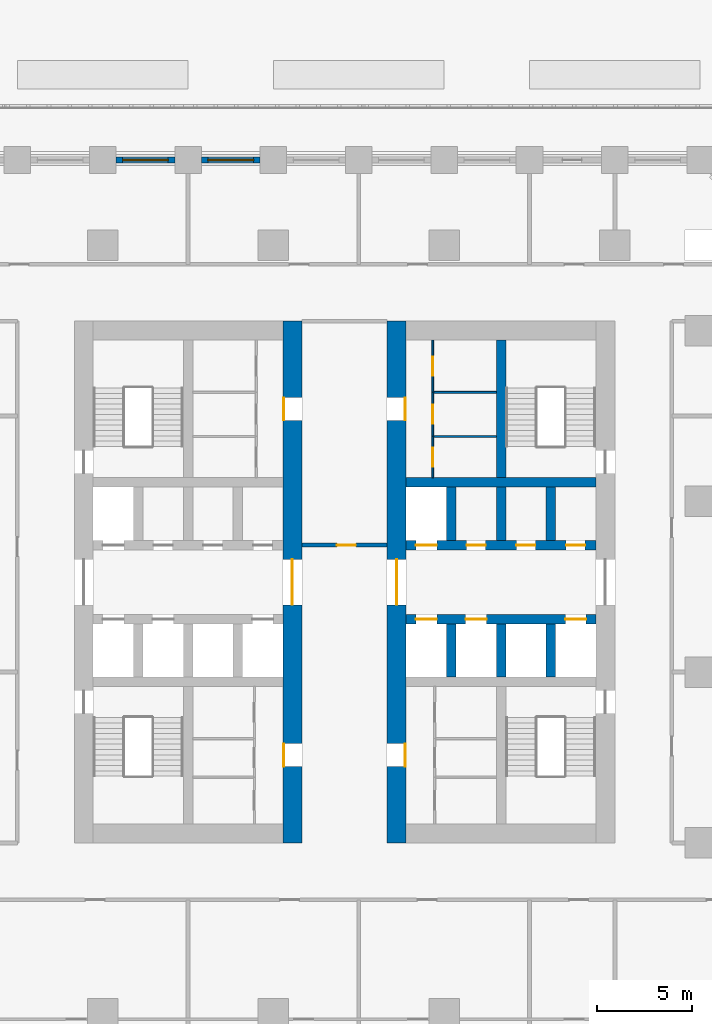
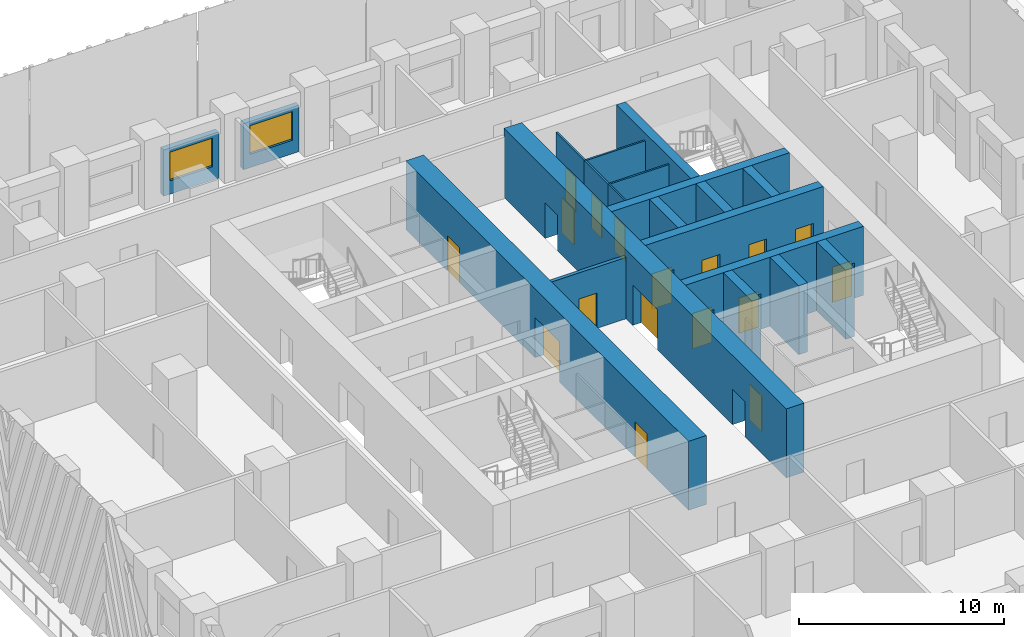
# One storey, part 21 of 36: 20 walls, 17 doors, 2 windows, 19 openings.
"""IFC4 building model written with IfcOpenShell, lengths in metres."""

from ifc_helpers import new_model, si_unit, direction, frame, frame_2d, origin, place, context, subcontext, project, spatial, rectangle, extrude, material, layer, layer_set, type_object, element, fill, save


model = new_model("IFC4")

# Units and contexts
model_context = context("Model", 3, precision=1e-05, world=origin(), true_north=direction((0.0, 1.0)))
body_context = subcontext(model_context, "Body", "Model", "MODEL_VIEW")
ifc_project = project(units=[si_unit("LENGTHUNIT", "METRE"), si_unit("AREAUNIT", "SQUARE_METRE"), si_unit("VOLUMEUNIT", "CUBIC_METRE"), si_unit("PLANEANGLEUNIT", "RADIAN"), si_unit("MASSUNIT", "GRAM", prefix="KILO")], contexts=[model_context])

# Site, building, storey
site_placement = place(None, origin())
site = spatial("IfcSite", under=ifc_project, at=site_placement, CompositionType="ELEMENT")
building_placement = place(site_placement, origin())
building = spatial("IfcBuilding", under=site, at=building_placement, Name="Corbel Stack Research Tower", CompositionType="ELEMENT")
storey_placement = place(building_placement, frame((0.0, 0.0, 7.199951171875)))
storey = spatial("IfcBuildingStorey", under=building, at=storey_placement, Name="L01", CompositionType="ELEMENT", Elevation=7.199951171875)

# Wall, openings, doors
ifc_material_1 = material(Name="Concrete C70/85", Category="concrete")
ifc_layer_1 = layer(ifc_material_1, 1.0)
ifc_layer_set_1 = layer_set([ifc_layer_1], Name="Concrete C70/85")
wall_type_1 = type_object("IfcWallType", Name="CW-1000-70", PredefinedType="SHEAR", material=ifc_layer_set_1)
wall_1_placement = place(storey_placement, frame((1.0, -9.0, 0.0), z_axis=(0.0, 0.0, 1.0), x_axis=(0.0, 1.0, 0.0)))
wall_1 = element("IfcWall", 1, at=wall_1_placement, inside=storey, type_object=wall_type_1, Name="West core wall, east face L01", PredefinedType="SHEAR", context=body_context, shape_type="SweptSolid", body=[
    extrude(rectangle(XDim=27.5, YDim=1.0, at=frame_2d((13.75, 0.0))), origin(), (0.0, 0.0, 1.0), 4.10009765625),
])
opening_1_placement = place(wall_1_placement, frame((12.550048828125, 0.0, 0.0)))
opening_1 = element("IfcOpeningElement", 2, at=opening_1_placement, cuts=wall_1, Name="Opening CD-W-E", PredefinedType="OPENING", context=body_context, shape_type="SweptSolid", body=[
    extrude(rectangle(XDim=2.39990234375, YDim=2.39990234375, at=frame_2d((1.199951171875, 1.199951171875))), frame((0.0, 0.510009765625, 0.0), z_axis=(0.0, -1.0, 0.0), x_axis=(1.0, 0.0, 0.0)), (0.0, 0.0, 1.0), 1.02001953125),
])
opening_2_placement = place(wall_1_placement, frame((4.02490234375, 0.0, 0.0)))
opening_2 = element("IfcOpeningElement", 3, at=opening_2_placement, cuts=wall_1, Name="Opening CR-W12-W1-1200", PredefinedType="OPENING", context=body_context, shape_type="SweptSolid", body=[
    extrude(rectangle(XDim=1.199951171875, YDim=2.10009765625, at=frame_2d((0.60009765625, 1.050048828125))), frame((0.0, 0.510009765625, 0.0), z_axis=(0.0, -1.0, 0.0), x_axis=(1.0, 0.0, 0.0)), (0.0, 0.0, 1.0), 1.02001953125),
])
opening_3_placement = place(wall_1_placement, frame((22.27490234375, 0.0, 0.0)))
opening_3 = element("IfcOpeningElement", 4, at=opening_3_placement, cuts=wall_1, Name="Opening CR-W12-R1-1200", PredefinedType="OPENING", context=body_context, shape_type="SweptSolid", body=[
    extrude(rectangle(XDim=1.199951171875, YDim=2.10009765625, at=frame_2d((0.60009765625, 1.050048828125))), frame((0.0, 0.510009765625, 0.0), z_axis=(0.0, -1.0, 0.0), x_axis=(1.0, 0.0, 0.0)), (0.0, 0.0, 1.0), 1.02001953125),
])
ifc_material_2 = material(Name="Painted steel fire door", Category="steel")
door_type_1 = type_object("IfcDoorType", Name="Lobby door pair 2400 x 2400 FD30S", OperationType="DOUBLE_DOOR_DOUBLE_SWING", PredefinedType="DOOR", material=ifc_material_2)
door_1_placement = place(opening_1_placement, origin())
door_1 = element("IfcDoor", 5, at=door_1_placement, inside=storey, type_object=door_type_1, Name="Lift lobby door W core E", OperationType="DOUBLE_DOOR_DOUBLE_SWING", OverallHeight=2.39990234375, OverallWidth=2.39990234375, PredefinedType="DOOR", context=body_context, shape_type="SweptSolid", body=[
    extrude(rectangle(XDim=2.39990234375, YDim=2.39990234375, at=frame_2d((1.199951171875, 1.199951171875))), frame((0.0, 0.02490234375, 0.0), z_axis=(0.0, -1.0, 0.0), x_axis=(1.0, 0.0, 0.0)), (0.0, 0.0, 1.0), 0.050048828125),
])
fill(opening_1, door_1)
ifc_material_3 = material(Name="Painted steel door", Category="steel")
door_type_2 = type_object("IfcDoorType", Name="Service door 1200 x 2100 FD30 left hand", OperationType="SINGLE_SWING_LEFT", PredefinedType="DOOR", material=ifc_material_3)
door_2_placement = place(opening_3_placement, origin())
door_2 = element("IfcDoor", 6, at=door_2_placement, inside=storey, type_object=door_type_2, Name="Service passage door W core", OperationType="SINGLE_SWING_LEFT", OverallHeight=2.10009765625, OverallWidth=1.199951171875, PredefinedType="DOOR", context=body_context, shape_type="SweptSolid", body=[
    extrude(rectangle(XDim=1.199951171875, YDim=2.10009765625, at=frame_2d((0.60009765625, 1.050048828125))), frame((0.0, 0.47509765625, 0.0), z_axis=(0.0, -1.0, 0.0), x_axis=(1.0, 0.0, 0.0)), (0.0, 0.0, 1.0), 0.050048828125),
])
fill(opening_3, door_2)
ifc_material_4 = material(Name="Painted timber door", Category="wood")
door_type_3 = type_object("IfcDoorType", Name="WC door 1200 x 2100 left hand", OperationType="SINGLE_SWING_LEFT", PredefinedType="DOOR", material=ifc_material_4)
door_3_placement = place(opening_2_placement, origin())
door_3 = element("IfcDoor", 7, at=door_3_placement, inside=storey, type_object=door_type_3, Name="WC lobby door W core", OperationType="SINGLE_SWING_LEFT", OverallHeight=2.10009765625, OverallWidth=1.199951171875, PredefinedType="DOOR", context=body_context, shape_type="SweptSolid", body=[
    extrude(rectangle(XDim=1.199951171875, YDim=2.10009765625, at=frame_2d((0.60009765625, 1.050048828125))), frame((0.0, 0.47509765625, 0.0), z_axis=(0.0, -1.0, 0.0), x_axis=(1.0, 0.0, 0.0)), (0.0, 0.0, 1.0), 0.050048828125),
])
fill(opening_2, door_3)

wall_2_placement = place(storey_placement, frame((6.5, -9.0, 0.0), z_axis=(0.0, 0.0, 1.0), x_axis=(0.0, 1.0, 0.0)))
wall_2 = element("IfcWall", 8, at=wall_2_placement, inside=storey, type_object=wall_type_1, Name="East core wall, west face L01", PredefinedType="SHEAR", context=body_context, shape_type="SweptSolid", body=[
    extrude(rectangle(XDim=27.5, YDim=1.0, at=frame_2d((13.75, 0.0))), origin(), (0.0, 0.0, 1.0), 4.10009765625),
])
opening_4_placement = place(wall_2_placement, frame((12.550048828125, 0.0, 0.0)))
opening_4 = element("IfcOpeningElement", 9, at=opening_4_placement, cuts=wall_2, Name="Opening CD-E-W", PredefinedType="OPENING", context=body_context, shape_type="SweptSolid", body=[
    extrude(rectangle(XDim=2.39990234375, YDim=2.39990234375, at=frame_2d((1.199951171875, 1.199951171875))), frame((0.0, 0.510009765625, 0.0), z_axis=(0.0, -1.0, 0.0), x_axis=(1.0, 0.0, 0.0)), (0.0, 0.0, 1.0), 1.02001953125),
])
opening_5_placement = place(wall_2_placement, frame((4.02490234375, 0.0, 0.0)))
opening_5 = element("IfcOpeningElement", 10, at=opening_5_placement, cuts=wall_2, Name="Opening CR-E12-W1-1200", PredefinedType="OPENING", context=body_context, shape_type="SweptSolid", body=[
    extrude(rectangle(XDim=1.199951171875, YDim=2.10009765625, at=frame_2d((0.60009765625, 1.050048828125))), frame((0.0, 0.510009765625, 0.0), z_axis=(0.0, -1.0, 0.0), x_axis=(1.0, 0.0, 0.0)), (0.0, 0.0, 1.0), 1.02001953125),
])
opening_6_placement = place(wall_2_placement, frame((22.27490234375, 0.0, 0.0)))
opening_6 = element("IfcOpeningElement", 11, at=opening_6_placement, cuts=wall_2, Name="Opening CR-E12-R1-1200", PredefinedType="OPENING", context=body_context, shape_type="SweptSolid", body=[
    extrude(rectangle(XDim=1.199951171875, YDim=2.10009765625, at=frame_2d((0.60009765625, 1.050048828125))), frame((0.0, 0.510009765625, 0.0), z_axis=(0.0, -1.0, 0.0), x_axis=(1.0, 0.0, 0.0)), (0.0, 0.0, 1.0), 1.02001953125),
])
door_4_placement = place(opening_4_placement, origin())
door_4 = element("IfcDoor", 12, at=door_4_placement, inside=storey, type_object=door_type_1, Name="Lift lobby door E core W", OperationType="DOUBLE_DOOR_DOUBLE_SWING", OverallHeight=2.39990234375, OverallWidth=2.39990234375, PredefinedType="DOOR", context=body_context, shape_type="SweptSolid", body=[
    extrude(rectangle(XDim=2.39990234375, YDim=2.39990234375, at=frame_2d((1.199951171875, 1.199951171875))), frame((0.0, 0.02490234375, 0.0), z_axis=(0.0, -1.0, 0.0), x_axis=(1.0, 0.0, 0.0)), (0.0, 0.0, 1.0), 0.050048828125),
])
fill(opening_4, door_4)
ifc_material_5 = material(Name="Painted steel door", Category="steel")
door_type_4 = type_object("IfcDoorType", Name="Service door 1200 x 2100 FD30 right hand", OperationType="SINGLE_SWING_RIGHT", PredefinedType="DOOR", material=ifc_material_5)
door_5_placement = place(opening_6_placement, origin())
door_5 = element("IfcDoor", 13, at=door_5_placement, inside=storey, type_object=door_type_4, Name="Service passage door E core", OperationType="SINGLE_SWING_RIGHT", OverallHeight=2.10009765625, OverallWidth=1.199951171875, PredefinedType="DOOR", context=body_context, shape_type="SweptSolid", body=[
    extrude(rectangle(XDim=1.199951171875, YDim=2.10009765625, at=frame_2d((0.60009765625, 1.050048828125))), frame((0.0, -0.4248046875, 0.0), z_axis=(0.0, -1.0, 0.0), x_axis=(1.0, 0.0, 0.0)), (0.0, 0.0, 1.0), 0.050048828125),
])
fill(opening_6, door_5)
ifc_material_6 = material(Name="Painted timber door", Category="wood")
door_type_5 = type_object("IfcDoorType", Name="WC door 1200 x 2100 right hand", OperationType="SINGLE_SWING_RIGHT", PredefinedType="DOOR", material=ifc_material_6)
door_6_placement = place(opening_5_placement, origin())
door_6 = element("IfcDoor", 14, at=door_6_placement, inside=storey, type_object=door_type_5, Name="WC lobby door E core", OperationType="SINGLE_SWING_RIGHT", OverallHeight=2.10009765625, OverallWidth=1.199951171875, PredefinedType="DOOR", context=body_context, shape_type="SweptSolid", body=[
    extrude(rectangle(XDim=1.199951171875, YDim=2.10009765625, at=frame_2d((0.60009765625, 1.050048828125))), frame((0.0, -0.4248046875, 0.0), z_axis=(0.0, -1.0, 0.0), x_axis=(1.0, 0.0, 0.0)), (0.0, 0.0, 1.0), 0.050048828125),
])
fill(opening_5, door_6)

ifc_material_7 = material(Name="Concrete C70/85", Category="concrete")
ifc_layer_2 = layer(ifc_material_7, 0.5)
ifc_layer_set_2 = layer_set([ifc_layer_2], Name="Concrete C70/85")
wall_type_2 = type_object("IfcWallType", Name="CW-500-70", PredefinedType="SHEAR", material=ifc_layer_set_2)
wall_3_placement = place(storey_placement, frame((7.0, 2.800048828125, 0.0), z_axis=(0.0, 0.0, 1.0), x_axis=(1.0, 0.0, 0.0)))
wall_3 = element("IfcWall", 15, at=wall_3_placement, inside=storey, type_object=wall_type_2, Name="East core wall, lobby south L01", PredefinedType="SHEAR", context=body_context, shape_type="SweptSolid", body=[
    extrude(rectangle(XDim=10.0, YDim=0.5, at=frame_2d((5.0, 0.0))), origin(), (0.0, 0.0, 1.0), 4.10009765625),
])
opening_7_placement = place(wall_3_placement, frame((0.512451171875, 0.0, 0.0)))
opening_7 = element("IfcOpeningElement", 16, at=opening_7_placement, cuts=wall_3, Name="Opening LD-FS2", PredefinedType="OPENING", context=body_context, shape_type="SweptSolid", body=[
    extrude(rectangle(XDim=1.10009765625, YDim=2.10009765625, at=frame_2d((0.550048828125, 1.050048828125))), frame((0.0, 0.260009765625, 0.0), z_axis=(0.0, -1.0, 0.0), x_axis=(1.0, 0.0, 0.0)), (0.0, 0.0, 1.0), 0.52001953125),
])
opening_8_placement = place(wall_3_placement, frame((3.137451171875, 0.0, 0.0)))
opening_8 = element("IfcOpeningElement", 17, at=opening_8_placement, cuts=wall_3, Name="Opening LD-GL2", PredefinedType="OPENING", context=body_context, shape_type="SweptSolid", body=[
    extrude(rectangle(XDim=1.10009765625, YDim=2.10009765625, at=frame_2d((0.550048828125, 1.050048828125))), frame((0.0, 0.260009765625, 0.0), z_axis=(0.0, -1.0, 0.0), x_axis=(1.0, 0.0, 0.0)), (0.0, 0.0, 1.0), 0.52001953125),
])
opening_9_placement = place(wall_3_placement, frame((8.387451171875, 0.0, 0.0)))
opening_9 = element("IfcOpeningElement", 18, at=opening_9_placement, cuts=wall_3, Name="Opening LD-LR3", PredefinedType="OPENING", context=body_context, shape_type="SweptSolid", body=[
    extrude(rectangle(XDim=1.10009765625, YDim=2.10009765625, at=frame_2d((0.550048828125, 1.050048828125))), frame((0.0, 0.260009765625, 0.0), z_axis=(0.0, -1.0, 0.0), x_axis=(1.0, 0.0, 0.0)), (0.0, 0.0, 1.0), 0.52001953125),
])
ifc_material_8 = material(Name="Stainless steel landing door", Category="steel")
door_type_6 = type_object("IfcDoorType", Name="Lift landing door 1100 x 2100", OperationType="DOUBLE_DOOR_SLIDING", PredefinedType="DOOR", material=ifc_material_8)
door_7_placement = place(opening_7_placement, origin())
door_7 = element("IfcDoor", 19, at=door_7_placement, inside=storey, type_object=door_type_6, Name="Landing door FS2", OperationType="DOUBLE_DOOR_SLIDING", OverallHeight=2.10009765625, OverallWidth=1.10009765625, PredefinedType="DOOR", context=body_context, shape_type="SweptSolid", body=[
    extrude(rectangle(XDim=1.10009765625, YDim=2.10009765625, at=frame_2d((0.550048828125, 1.050048828125))), frame((0.0, 0.02490234375, 0.0), z_axis=(0.0, -1.0, 0.0), x_axis=(1.0, 0.0, 0.0)), (0.0, 0.0, 1.0), 0.050048828125),
])
fill(opening_7, door_7)
door_8_placement = place(opening_8_placement, origin())
door_8 = element("IfcDoor", 20, at=door_8_placement, inside=storey, type_object=door_type_6, Name="Landing door GL2", OperationType="DOUBLE_DOOR_SLIDING", OverallHeight=2.10009765625, OverallWidth=1.10009765625, PredefinedType="DOOR", context=body_context, shape_type="SweptSolid", body=[
    extrude(rectangle(XDim=1.10009765625, YDim=2.10009765625, at=frame_2d((0.550048828125, 1.050048828125))), frame((0.0, 0.02490234375, 0.0), z_axis=(0.0, -1.0, 0.0), x_axis=(1.0, 0.0, 0.0)), (0.0, 0.0, 1.0), 0.050048828125),
])
fill(opening_8, door_8)
door_9_placement = place(opening_9_placement, origin())
door_9 = element("IfcDoor", 21, at=door_9_placement, inside=storey, type_object=door_type_6, Name="Landing door LR3", OperationType="DOUBLE_DOOR_SLIDING", OverallHeight=2.10009765625, OverallWidth=1.10009765625, PredefinedType="DOOR", context=body_context, shape_type="SweptSolid", body=[
    extrude(rectangle(XDim=1.10009765625, YDim=2.10009765625, at=frame_2d((0.550048828125, 1.050048828125))), frame((0.0, 0.02490234375, 0.0), z_axis=(0.0, -1.0, 0.0), x_axis=(1.0, 0.0, 0.0)), (0.0, 0.0, 1.0), 0.050048828125),
])
fill(opening_9, door_9)

wall_4_placement = place(storey_placement, frame((7.0, 6.699951171875, 0.0), z_axis=(0.0, 0.0, 1.0), x_axis=(1.0, 0.0, 0.0)))
wall_4 = element("IfcWall", 22, at=wall_4_placement, inside=storey, type_object=wall_type_2, Name="East core wall, lobby north L01", PredefinedType="SHEAR", context=body_context, shape_type="SweptSolid", body=[
    extrude(rectangle(XDim=10.0, YDim=0.5, at=frame_2d((5.0, 0.0))), origin(), (0.0, 0.0, 1.0), 4.10009765625),
])
opening_10_placement = place(wall_4_placement, frame((0.512451171875, 0.0, 0.0)))
opening_10 = element("IfcOpeningElement", 23, at=opening_10_placement, cuts=wall_4, Name="Opening LD-LR4", PredefinedType="OPENING", context=body_context, shape_type="SweptSolid", body=[
    extrude(rectangle(XDim=1.10009765625, YDim=2.10009765625, at=frame_2d((0.550048828125, 1.050048828125))), frame((0.0, 0.260009765625, 0.0), z_axis=(0.0, -1.0, 0.0), x_axis=(1.0, 0.0, 0.0)), (0.0, 0.0, 1.0), 0.52001953125),
])
opening_11_placement = place(wall_4_placement, frame((3.1875, 0.0, 0.0)))
opening_11 = element("IfcOpeningElement", 24, at=opening_11_placement, cuts=wall_4, Name="Opening CR-E12-N2", PredefinedType="OPENING", context=body_context, shape_type="SweptSolid", body=[
    extrude(rectangle(XDim=1.0, YDim=2.10009765625, at=frame_2d((0.5, 1.050048828125))), frame((0.0, 0.260009765625, 0.0), z_axis=(0.0, -1.0, 0.0), x_axis=(1.0, 0.0, 0.0)), (0.0, 0.0, 1.0), 0.52001953125),
])
opening_12_placement = place(wall_4_placement, frame((5.8125, 0.0, 0.0)))
opening_12 = element("IfcOpeningElement", 25, at=opening_12_placement, cuts=wall_4, Name="Opening CR-E12-N3", PredefinedType="OPENING", context=body_context, shape_type="SweptSolid", body=[
    extrude(rectangle(XDim=1.0, YDim=2.10009765625, at=frame_2d((0.5, 1.050048828125))), frame((0.0, 0.260009765625, 0.0), z_axis=(0.0, -1.0, 0.0), x_axis=(1.0, 0.0, 0.0)), (0.0, 0.0, 1.0), 0.52001953125),
])
opening_13_placement = place(wall_4_placement, frame((8.4375, 0.0, 0.0)))
opening_13 = element("IfcOpeningElement", 26, at=opening_13_placement, cuts=wall_4, Name="Opening CR-E12-N4", PredefinedType="OPENING", context=body_context, shape_type="SweptSolid", body=[
    extrude(rectangle(XDim=1.0, YDim=2.10009765625, at=frame_2d((0.5, 1.050048828125))), frame((0.0, 0.260009765625, 0.0), z_axis=(0.0, -1.0, 0.0), x_axis=(1.0, 0.0, 0.0)), (0.0, 0.0, 1.0), 0.52001953125),
])
door_10_placement = place(opening_10_placement, origin())
door_10 = element("IfcDoor", 27, at=door_10_placement, inside=storey, type_object=door_type_6, Name="Landing door LR4", OperationType="DOUBLE_DOOR_SLIDING", OverallHeight=2.10009765625, OverallWidth=1.10009765625, PredefinedType="DOOR", context=body_context, shape_type="SweptSolid", body=[
    extrude(rectangle(XDim=1.10009765625, YDim=2.10009765625, at=frame_2d((0.550048828125, 1.050048828125))), frame((0.0, 0.02490234375, 0.0), z_axis=(0.0, -1.0, 0.0), x_axis=(1.0, 0.0, 0.0)), (0.0, 0.0, 1.0), 0.050048828125),
])
fill(opening_10, door_10)
ifc_material_9 = material(Name="Painted steel door", Category="steel")
door_type_7 = type_object("IfcDoorType", Name="Service door 1000 x 2100 FD60 left hand", OperationType="SINGLE_SWING_LEFT", PredefinedType="DOOR", material=ifc_material_9)
door_11_placement = place(opening_12_placement, origin())
door_11 = element("IfcDoor", 28, at=door_11_placement, inside=storey, type_object=door_type_7, Name="Laboratory consumables store door E core", OperationType="SINGLE_SWING_LEFT", OverallHeight=2.10009765625, OverallWidth=1.0, PredefinedType="DOOR", context=body_context, shape_type="SweptSolid", body=[
    extrude(rectangle(XDim=1.0, YDim=2.10009765625, at=frame_2d((0.5, 1.050048828125))), frame((0.0, 0.02490234375, 0.0), z_axis=(0.0, -1.0, 0.0), x_axis=(1.0, 0.0, 0.0)), (0.0, 0.0, 1.0), 0.050048828125),
])
fill(opening_12, door_11)
ifc_material_10 = material(Name="Painted steel door", Category="steel")
door_type_8 = type_object("IfcDoorType", Name="Service door 1000 x 2100 FD60 right hand", OperationType="SINGLE_SWING_RIGHT", PredefinedType="DOOR", material=ifc_material_10)
door_12_placement = place(opening_11_placement, origin())
door_12 = element("IfcDoor", 29, at=door_12_placement, inside=storey, type_object=door_type_8, Name="Staff WC door E core", OperationType="SINGLE_SWING_RIGHT", OverallHeight=2.10009765625, OverallWidth=1.0, PredefinedType="DOOR", context=body_context, shape_type="SweptSolid", body=[
    extrude(rectangle(XDim=1.0, YDim=2.10009765625, at=frame_2d((0.5, 1.050048828125))), frame((0.0, 0.02490234375, 0.0), z_axis=(0.0, -1.0, 0.0), x_axis=(1.0, 0.0, 0.0)), (0.0, 0.0, 1.0), 0.050048828125),
])
fill(opening_11, door_12)
door_13_placement = place(opening_13_placement, origin())
door_13 = element("IfcDoor", 30, at=door_13_placement, inside=storey, type_object=door_type_8, Name="Cleaner's store door E core", OperationType="SINGLE_SWING_RIGHT", OverallHeight=2.10009765625, OverallWidth=1.0, PredefinedType="DOOR", context=body_context, shape_type="SweptSolid", body=[
    extrude(rectangle(XDim=1.0, YDim=2.10009765625, at=frame_2d((0.5, 1.050048828125))), frame((0.0, 0.02490234375, 0.0), z_axis=(0.0, -1.0, 0.0), x_axis=(1.0, 0.0, 0.0)), (0.0, 0.0, 1.0), 0.050048828125),
])
fill(opening_13, door_13)

# Walls
wall_5_placement = place(storey_placement, frame((7.0, 10.0, 0.0), z_axis=(0.0, 0.0, 1.0), x_axis=(1.0, 0.0, 0.0)))
element("IfcWall", 31, at=wall_5_placement, inside=storey, type_object=wall_type_2, Name="East core wall, north row back L01", PredefinedType="SHEAR", context=body_context, shape_type="SweptSolid", body=[
    extrude(rectangle(XDim=10.0, YDim=0.5, at=frame_2d((5.0, 0.0))), origin(), (0.0, 0.0, 1.0), 4.10009765625),
])
for number, where, z_axis, x_axis, name in (
    (32, (9.375, -0.25, 0.0), (0.0, 0.0, 1.0), (0.0, 1.0, 0.0), "East core wall, south shaft 1 L01"),
    (33, (9.375, 6.949951171875, 0.0), (0.0, 0.0, 1.0), (0.0, 1.0, 0.0), "East core wall, north shaft 1 L01"),
    (34, (12.0, -0.25, 0.0), (0.0, 0.0, 1.0), (0.0, 1.0, 0.0), "East core wall, south shaft 2 L01"),
    (35, (12.0, 6.949951171875, 0.0), (0.0, 0.0, 1.0), (0.0, 1.0, 0.0), "East core wall, north shaft 2 L01"),
    (36, (14.625, -0.25, 0.0), (0.0, 0.0, 1.0), (0.0, 1.0, 0.0), "East core wall, south shaft 3 L01"),
    (37, (14.625, 6.949951171875, 0.0), (0.0, 0.0, 1.0), (0.0, 1.0, 0.0), "East core wall, north shaft 3 L01"),
):
    element("IfcWall", number, at=place(storey_placement, frame(where, z_axis=z_axis, x_axis=x_axis)), inside=storey, type_object=wall_type_2, Name=name, PredefinedType="SHEAR", context=body_context, shape_type="SweptSolid", body=[
        extrude(rectangle(XDim=2.800048828125, YDim=0.5, at=frame_2d((1.39990234375, 0.0))), origin(), (0.0, 0.0, 1.0), 4.10009765625),
    ])
wall_6_placement = place(storey_placement, frame((12.0, 10.25, 0.0), z_axis=(0.0, 0.0, 1.0), x_axis=(0.0, 1.0, 0.0)))
element("IfcWall", 38, at=wall_6_placement, inside=storey, type_object=wall_type_2, Name="East core wall, north stair and riser L01", PredefinedType="SHEAR", context=body_context, shape_type="SweptSolid", body=[
    extrude(rectangle(XDim=7.25, YDim=0.5, at=frame_2d((3.625, 0.0))), origin(), (0.0, 0.0, 1.0), 4.10009765625),
])

# Wall, opening, door
ifc_material_11 = material(Name="Gypsum board")
ifc_layer_3 = layer(ifc_material_11, 0.10009765625)
ifc_layer_set_3 = layer_set([ifc_layer_3], Name="Gypsum board")
wall_type_3 = type_object("IfcWallType", Name="Core partition 100", PredefinedType="PARTITIONING", material=ifc_layer_set_3)
wall_7_placement = place(storey_placement, frame((8.39990234375, 10.25, 0.0), z_axis=(0.0, 0.0, 1.0), x_axis=(0.0, 1.0, 0.0)))
wall_7 = element("IfcWall", 39, at=wall_7_placement, inside=storey, type_object=wall_type_3, Name="Core partition E", PredefinedType="PARTITIONING", context=body_context, shape_type="SweptSolid", body=[
    extrude(rectangle(XDim=2.175048828125, YDim=0.10009765625, at=frame_2d((1.08740234375, 0.0))), origin(), (0.0, 0.0, 1.0), 3.650146484375),
])
opening_14_placement = place(wall_7_placement, frame((0.58740234375, 0.0, 0.0)))
opening_14 = element("IfcOpeningElement", 40, at=opening_14_placement, cuts=wall_7, Name="Opening CR-E12-R2-1000", PredefinedType="OPENING", context=body_context, shape_type="SweptSolid", body=[
    extrude(rectangle(XDim=1.0, YDim=2.10009765625, at=frame_2d((0.5, 1.050048828125))), frame((0.0, 0.06005859375, 0.0), z_axis=(0.0, -1.0, 0.0), x_axis=(1.0, 0.0, 0.0)), (0.0, 0.0, 1.0), 0.1201171875),
])
ifc_material_12 = material(Name="Painted steel door", Category="steel")
door_type_9 = type_object("IfcDoorType", Name="Riser door 1000 x 2100 FD60 left hand", OperationType="SINGLE_SWING_LEFT", PredefinedType="DOOR", material=ifc_material_12)
door_14_placement = place(opening_14_placement, origin())
door_14 = element("IfcDoor", 41, at=door_14_placement, inside=storey, type_object=door_type_9, Name="Mechanical riser door E core", OperationType="SINGLE_SWING_LEFT", OverallHeight=2.10009765625, OverallWidth=1.0, PredefinedType="DOOR", context=body_context, shape_type="SweptSolid", body=[
    extrude(rectangle(XDim=1.0, YDim=2.10009765625, at=frame_2d((0.5, 1.050048828125))), frame((0.0, 0.02490234375, 0.0), z_axis=(0.0, -1.0, 0.0), x_axis=(1.0, 0.0, 0.0)), (0.0, 0.0, 1.0), 0.050048828125),
])
fill(opening_14, door_14)

wall_8_placement = place(storey_placement, frame((8.39990234375, 12.425048828125, 0.0), z_axis=(0.0, 0.0, 1.0), x_axis=(0.0, 1.0, 0.0)))
wall_8 = element("IfcWall", 42, at=wall_8_placement, inside=storey, type_object=wall_type_3, Name="Core partition E", PredefinedType="PARTITIONING", context=body_context, shape_type="SweptSolid", body=[
    extrude(rectangle(XDim=2.320068359375, YDim=0.10009765625, at=frame_2d((1.16015625, 0.0))), origin(), (0.0, 0.0, 1.0), 3.650146484375),
])
opening_15_placement = place(wall_8_placement, frame((0.659912109375, 0.0, 0.0)))
opening_15 = element("IfcOpeningElement", 43, at=opening_15_placement, cuts=wall_8, Name="Opening CR-E12-R3-1000", PredefinedType="OPENING", context=body_context, shape_type="SweptSolid", body=[
    extrude(rectangle(XDim=1.0, YDim=2.10009765625, at=frame_2d((0.5, 1.050048828125))), frame((0.0, 0.06005859375, 0.0), z_axis=(0.0, -1.0, 0.0), x_axis=(1.0, 0.0, 0.0)), (0.0, 0.0, 1.0), 0.1201171875),
])
ifc_material_13 = material(Name="Painted steel door", Category="steel")
door_type_10 = type_object("IfcDoorType", Name="Service door 1000 x 2100 FD30 right hand", OperationType="SINGLE_SWING_RIGHT", PredefinedType="DOOR", material=ifc_material_13)
door_15_placement = place(opening_15_placement, origin())
door_15 = element("IfcDoor", 44, at=door_15_placement, inside=storey, type_object=door_type_10, Name="Pantry door E core", OperationType="SINGLE_SWING_RIGHT", OverallHeight=2.10009765625, OverallWidth=1.0, PredefinedType="DOOR", context=body_context, shape_type="SweptSolid", body=[
    extrude(rectangle(XDim=1.0, YDim=2.10009765625, at=frame_2d((0.5, 1.050048828125))), frame((0.0, 0.02490234375, 0.0), z_axis=(0.0, -1.0, 0.0), x_axis=(1.0, 0.0, 0.0)), (0.0, 0.0, 1.0), 0.050048828125),
])
fill(opening_15, door_15)

wall_9_placement = place(storey_placement, frame((8.39990234375, 14.7451171875, 0.0), z_axis=(0.0, 0.0, 1.0), x_axis=(0.0, 1.0, 0.0)))
wall_9 = element("IfcWall", 45, at=wall_9_placement, inside=storey, type_object=wall_type_3, Name="Core partition E", PredefinedType="PARTITIONING", context=body_context, shape_type="SweptSolid", body=[
    extrude(rectangle(XDim=2.7548828125, YDim=0.10009765625, at=frame_2d((1.37744140625, 0.0))), origin(), (0.0, 0.0, 1.0), 3.650146484375),
])
opening_16_placement = place(wall_9_placement, frame((0.87744140625, 0.0, 0.0)))
opening_16 = element("IfcOpeningElement", 46, at=opening_16_placement, cuts=wall_9, Name="Opening CR-E12-R4-1000", PredefinedType="OPENING", context=body_context, shape_type="SweptSolid", body=[
    extrude(rectangle(XDim=1.0, YDim=2.10009765625, at=frame_2d((0.5, 1.050048828125))), frame((0.0, 0.06005859375, 0.0), z_axis=(0.0, -1.0, 0.0), x_axis=(1.0, 0.0, 0.0)), (0.0, 0.0, 1.0), 0.1201171875),
])
door_16_placement = place(opening_16_placement, origin())
door_16 = element("IfcDoor", 47, at=door_16_placement, inside=storey, type_object=door_type_9, Name="Electrical riser door E core", OperationType="SINGLE_SWING_LEFT", OverallHeight=2.10009765625, OverallWidth=1.0, PredefinedType="DOOR", context=body_context, shape_type="SweptSolid", body=[
    extrude(rectangle(XDim=1.0, YDim=2.10009765625, at=frame_2d((0.5, 1.050048828125))), frame((0.0, 0.02490234375, 0.0), z_axis=(0.0, -1.0, 0.0), x_axis=(1.0, 0.0, 0.0)), (0.0, 0.0, 1.0), 0.050048828125),
])
fill(opening_16, door_16)

# Walls
for number, where, z_axis, x_axis, name in (
    (48, (8.39990234375, 12.425048828125, 0.0), (0.0, 0.0, 1.0), (1.0, 0.0, 0.0), "Core partition E"),
    (49, (8.39990234375, 14.7451171875, 0.0), (0.0, 0.0, 1.0), (1.0, 0.0, 0.0), "Core partition E"),
):
    element("IfcWall", number, at=place(storey_placement, frame(where, z_axis=z_axis, x_axis=x_axis)), inside=storey, type_object=wall_type_3, Name=name, PredefinedType="PARTITIONING", context=body_context, shape_type="SweptSolid", body=[
        extrude(rectangle(XDim=3.35009765625, YDim=0.10009765625, at=frame_2d((1.675048828125, 0.0))), origin(), (0.0, 0.0, 1.0), 3.650146484375),
    ])

# Wall, opening, door
ifc_material_14 = material(Name="Fire-rated gypsum board partition on steel studs", Category="steel")
ifc_layer_4 = layer(ifc_material_14, 0.199951171875)
ifc_layer_set_4 = layer_set([ifc_layer_4], Name="Fire-rated gypsum board partition on steel studs")
wall_type_4 = type_object("IfcWallType", Name="Fire-rated partition 200 EI 60", PredefinedType="PARTITIONING", material=ifc_layer_set_4)
wall_10_placement = place(storey_placement, frame((1.5, 6.699951171875, 0.0), z_axis=(0.0, 0.0, 1.0), x_axis=(1.0, 0.0, 0.0)))
wall_10 = element("IfcWall", 50, at=wall_10_placement, inside=storey, type_object=wall_type_4, Name="Partition L01-032", PredefinedType="PARTITIONING", context=body_context, shape_type="SweptSolid", body=[
    extrude(rectangle(XDim=4.5, YDim=0.199951171875, at=frame_2d((2.25, 0.0))), origin(), (0.0, 0.0, 1.0), 3.650146484375),
])
opening_17_placement = place(wall_10_placement, frame((1.85009765625, 0.0, 0.0)))
opening_17 = element("IfcOpeningElement", 51, at=opening_17_placement, cuts=wall_10, Name="Opening B1V0H-018", PredefinedType="OPENING", context=body_context, shape_type="SweptSolid", body=[
    extrude(rectangle(XDim=1.0, YDim=2.10009765625, at=frame_2d((0.5, 1.050048828125))), frame((0.0, 0.10986328125, 0.0), z_axis=(0.0, -1.0, 0.0), x_axis=(1.0, 0.0, 0.0)), (0.0, 0.0, 1.0), 0.219970703125),
])
ifc_material_15 = material(Name="Painted steel fire door", Category="steel")
door_type_11 = type_object("IfcDoorType", Name="Fire door FD30S 1000 x 2100", OperationType="NOTDEFINED", PredefinedType="DOOR", material=ifc_material_15)
door_17_placement = place(opening_17_placement, origin())
door_17 = element("IfcDoor", 52, at=door_17_placement, inside=storey, type_object=door_type_11, Name="Door B1V0H-018", OperationType="SINGLE_SWING_RIGHT", OverallHeight=2.10009765625, OverallWidth=1.0, PredefinedType="DOOR", context=body_context, shape_type="SweptSolid", body=[
    extrude(rectangle(XDim=1.0, YDim=2.10009765625, at=frame_2d((0.5, 1.050048828125))), frame((0.0, 0.02490234375, 0.0), z_axis=(0.0, -1.0, 0.0), x_axis=(1.0, 0.0, 0.0)), (0.0, 0.0, 1.0), 0.050048828125),
])
fill(opening_17, door_17)

# Wall, opening, window
ifc_material_16 = material(Name="Concrete C45/55", Category="concrete")
ifc_layer_5 = layer(ifc_material_16, 0.300048828125)
ifc_layer_set_5 = layer_set([ifc_layer_5], Name="Concrete C45/55")
wall_type_5 = type_object("IfcWallType", Name="Terracotta-faced concrete wall 300", PredefinedType="SOLIDWALL", material=ifc_layer_set_5)
wall_11_placement = place(storey_placement, frame((-3.800048828125, 27.0, 0.0), z_axis=(0.0, 0.0, 1.0), x_axis=(1.0, 0.0, 0.0)))
wall_11 = element("IfcWall", 53, at=wall_11_placement, inside=storey, type_object=wall_type_5, Name="Facade wall L01 N06", PredefinedType="SOLIDWALL", context=body_context, shape_type="SweptSolid", body=[
    extrude(rectangle(XDim=3.10009765625, YDim=0.300048828125, at=frame_2d((1.550048828125, 0.0))), origin(), (0.0, 0.0, 1.0), 2.75),
])
opening_18_placement = place(wall_11_placement, frame((0.35009765625, 0.0, 0.800048828125)))
opening_18 = element("IfcOpeningElement", 54, at=opening_18_placement, cuts=wall_11, Name="Opening W1", PredefinedType="OPENING", context=body_context, shape_type="SweptSolid", body=[
    extrude(rectangle(XDim=2.39990234375, YDim=1.699951171875, at=frame_2d((1.199951171875, 0.85009765625))), frame((0.0, 0.159912109375, 0.0), z_axis=(0.0, -1.0, 0.0), x_axis=(1.0, 0.0, 0.0)), (0.0, 0.0, 1.0), 0.320068359375),
])
ifc_material_17 = material(Name="Aluminium frame, clear double glazing", Category="aluminium")
window_type = type_object("IfcWindowType", Name="Window W1 2400 x 1700", PartitioningType="SINGLE_PANEL", PredefinedType="WINDOW", material=ifc_material_17)
window_1_placement = place(opening_18_placement, origin())
window_1 = element("IfcWindow", 55, at=window_1_placement, inside=storey, type_object=window_type, Name="Window W1 L01 N06", OverallHeight=1.699951171875, OverallWidth=2.39990234375, PartitioningType="SINGLE_PANEL", PredefinedType="WINDOW", context=body_context, shape_type="SweptSolid", body=[
    extrude(rectangle(XDim=2.39990234375, YDim=1.699951171875, at=frame_2d((1.199951171875, 0.85009765625))), frame((0.0, 0.030029296875, 0.0), z_axis=(0.0, -1.0, 0.0), x_axis=(1.0, 0.0, 0.0)), (0.0, 0.0, 1.0), 0.06005859375),
])
fill(opening_18, window_1)

wall_12_placement = place(storey_placement, frame((-8.300048828125, 27.0, 0.0), z_axis=(0.0, 0.0, 1.0), x_axis=(1.0, 0.0, 0.0)))
wall_12 = element("IfcWall", 56, at=wall_12_placement, inside=storey, type_object=wall_type_5, Name="Facade wall L01 N07", PredefinedType="SOLIDWALL", context=body_context, shape_type="SweptSolid", body=[
    extrude(rectangle(XDim=3.10009765625, YDim=0.300048828125, at=frame_2d((1.550048828125, 0.0))), origin(), (0.0, 0.0, 1.0), 2.75),
])
opening_19_placement = place(wall_12_placement, frame((0.35009765625, 0.0, 0.800048828125)))
opening_19 = element("IfcOpeningElement", 57, at=opening_19_placement, cuts=wall_12, Name="Opening W1", PredefinedType="OPENING", context=body_context, shape_type="SweptSolid", body=[
    extrude(rectangle(XDim=2.39990234375, YDim=1.699951171875, at=frame_2d((1.199951171875, 0.85009765625))), frame((0.0, 0.159912109375, 0.0), z_axis=(0.0, -1.0, 0.0), x_axis=(1.0, 0.0, 0.0)), (0.0, 0.0, 1.0), 0.320068359375),
])
window_2_placement = place(opening_19_placement, origin())
window_2 = element("IfcWindow", 58, at=window_2_placement, inside=storey, type_object=window_type, Name="Window W1 L01 N07", OverallHeight=1.699951171875, OverallWidth=2.39990234375, PartitioningType="SINGLE_PANEL", PredefinedType="WINDOW", context=body_context, shape_type="SweptSolid", body=[
    extrude(rectangle(XDim=2.39990234375, YDim=1.699951171875, at=frame_2d((1.199951171875, 0.85009765625))), frame((0.0, 0.030029296875, 0.0), z_axis=(0.0, -1.0, 0.0), x_axis=(1.0, 0.0, 0.0)), (0.0, 0.0, 1.0), 0.06005859375),
])
fill(opening_19, window_2)

save(model, "model.ifc")
